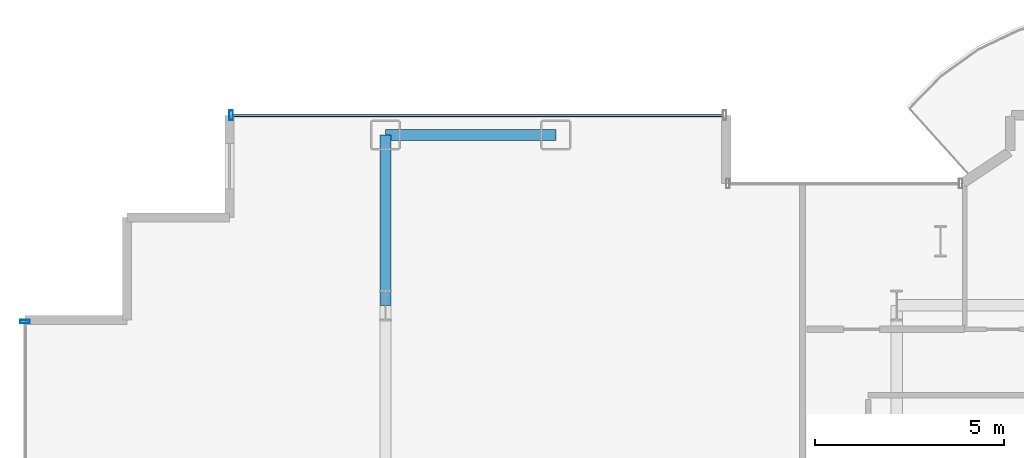
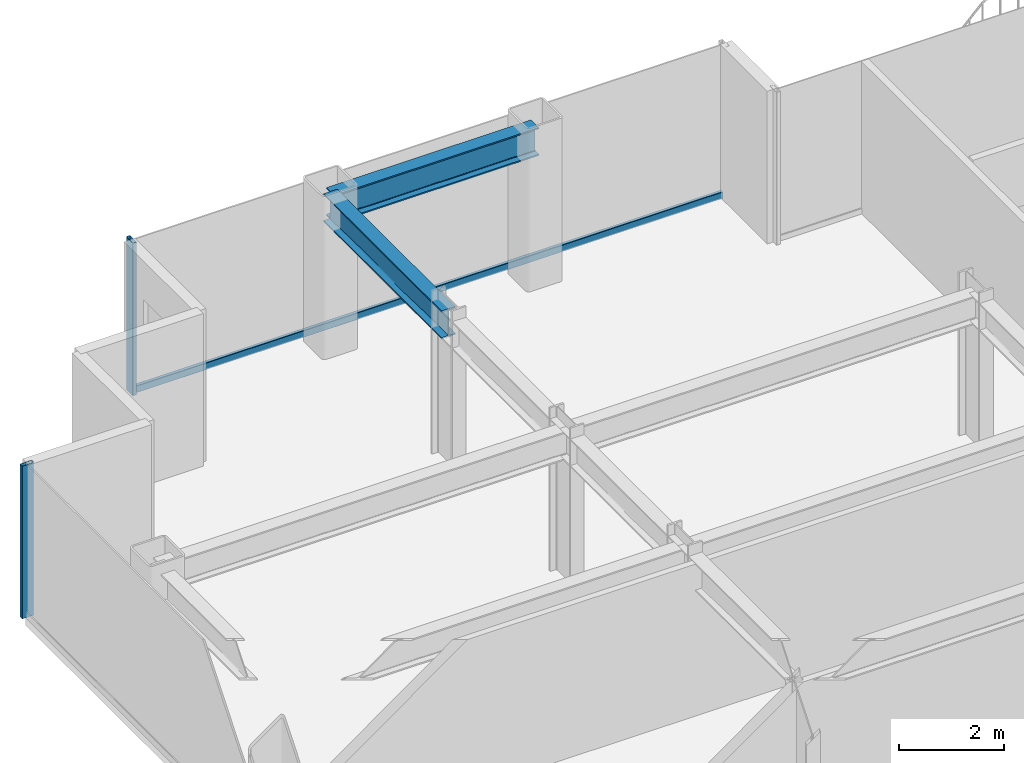
# One storey, part 10 of 23: 3 members, 2 beams, 2 elements without a shape of their own.
"""IFC4 building model written with IfcOpenShell, lengths in metres."""

from ifc_helpers import new_model, si_unit, direction, frame, origin, origin_2d, place, context, subcontext, project, spatial, hollow_rectangle, i_section, extrude, source, transform, mapped, material, layer, layer_set, material_profile, profile_set, type_object, element, aggregate, save


model = new_model("IFC4")

# Units and contexts
model_context = context("Model", 3, precision=1e-05, world=origin(), true_north=direction((0.0, 1.0)))
body_context = subcontext(model_context, "Body", "Model", "MODEL_VIEW")
ifc_project = project(units=[si_unit("LENGTHUNIT", "METRE"), si_unit("AREAUNIT", "SQUARE_METRE"), si_unit("VOLUMEUNIT", "CUBIC_METRE"), si_unit("PLANEANGLEUNIT", "RADIAN"), si_unit("MASSUNIT", "GRAM", prefix="KILO")], contexts=[model_context])

# Site, building, storey
site_placement = place(None, origin())
site = spatial("IfcSite", under=ifc_project, at=site_placement, CompositionType="ELEMENT")
building_placement = place(site_placement, origin())
building = spatial("IfcBuilding", under=site, at=building_placement, Name="Nefas-Gora Pilgrimage Tower", CompositionType="ELEMENT")
storey_placement = place(building_placement, frame((0.0, 0.0, 164.0)))
storey = spatial("IfcBuildingStorey", under=building, at=storey_placement, Name="L40", CompositionType="ELEMENT", Elevation=164.0)

# Beams
ifc_material_1 = material(Name="Steel S355", Category="steel")
ifc_material_profile_1 = material_profile(ifc_material_1, i_section(OverallWidth=0.300048828125, OverallDepth=0.64990234375, WebThickness=0.01611328125, FlangeThickness=0.031005859375, FilletRadius=0.027099609375, at=origin_2d()), Name="HEB 650")
ifc_profile_set_1 = profile_set([ifc_material_profile_1], Name="Steel S355")
beam_type_1 = type_object("IfcBeamType", Name="BM-SPN-HEB500", PredefinedType="SPANDREL", material=ifc_profile_set_1)
shared_shape_1 = source(origin(), body_context, "Body", "SweptSolid", [
    extrude(i_section(OverallWidth=0.300048828125, OverallDepth=0.64990234375, WebThickness=0.01611328125, FlangeThickness=0.031005859375, FilletRadius=0.027099609375, at=origin_2d()), origin(), (0.0, 0.0, 1.0), 4.5),
])
beam_1_placement = place(storey_placement, frame((-24.75, 22.5, 3.22509765625), z_axis=(1.0, 0.0, 0.0), x_axis=(0.0, 1.0, 0.0)))
element("IfcBeam", 1, at=beam_1_placement, inside=storey, type_object=beam_type_1, Name="L40 SP-02 beam", PredefinedType="SPANDREL", context=body_context, shape_type="MappedRepresentation", body=[
    mapped(shared_shape_1, transform((0.0, 0.0, 0.0), x_axis=(1.0, 0.0, 0.0), y_axis=(0.0, 1.0, 0.0), z_axis=(0.0, 0.0, 1.0), scale=1.0)),
])
ifc_material_profile_2 = material_profile(ifc_material_1, i_section(OverallWidth=0.300048828125, OverallDepth=0.64990234375, WebThickness=0.01611328125, FlangeThickness=0.031005859375, FilletRadius=0.027099609375, at=origin_2d()), Name="HEB 650")
ifc_profile_set_2 = profile_set([ifc_material_profile_2], Name="Steel S355")
beam_type_2 = type_object("IfcBeamType", Name="BM-GIR-HEB650", PredefinedType="BEAM", material=ifc_profile_set_2)
shared_shape_2 = source(origin(), body_context, "Body", "SweptSolid", [
    extrude(i_section(OverallWidth=0.300048828125, OverallDepth=0.64990234375, WebThickness=0.01611328125, FlangeThickness=0.031005859375, FilletRadius=0.027099609375, at=origin_2d()), origin(), (0.0, 0.0, 1.0), 4.5),
])
beam_2_placement = place(storey_placement, frame((-24.75, 18.0, 3.22509765625), z_axis=(0.0, 1.0, 0.0), x_axis=(-1.0, 0.0, 0.0)))
element("IfcBeam", 2, at=beam_2_placement, inside=storey, type_object=beam_type_2, Name="L40 G-03 beam", PredefinedType="BEAM", context=body_context, shape_type="MappedRepresentation", body=[
    mapped(shared_shape_2, transform((0.0, 0.0, 0.0), x_axis=(1.0, 0.0, 0.0), y_axis=(0.0, 1.0, 0.0), z_axis=(0.0, 0.0, 1.0), scale=1.0)),
])

# Curtain wall, member
ifc_material_2 = material(Name="Dark ceramic-fritted solar-control aluminium-glass curtain wall", Category="aluminium")
ifc_layer = layer(ifc_material_2, 0.219970703125)
ifc_layer_set = layer_set([ifc_layer], Name="Dark ceramic-fritted solar-control aluminium-glass curtain wall")
curtain_wall_type = type_object("IfcCurtainWallType", Name="CW-SYS-3", PredefinedType="NOTDEFINED", material=ifc_layer_set)
curtain_wall_1_placement = place(storey_placement, origin())
curtain_wall_1 = element("IfcCurtainWall", 3, at=curtain_wall_1_placement, inside=storey, type_object=curtain_wall_type, Name="L40 Unitised Curtain Wall CW3", PredefinedType="NOTDEFINED")
ifc_material_3 = material(Name="Anodised architectural aluminium", Category="aluminium")
ifc_material_profile_3 = material_profile(ifc_material_3, hollow_rectangle(XDim=0.090087890625, YDim=0.260009765625, WallThickness=0.006103515625, InnerFilletRadius=0.006103515625, OuterFilletRadius=0.011962890625, at=origin_2d()), Name="ALU MULLION 90x260")
ifc_profile_set_3 = profile_set([ifc_material_profile_3], Name="Anodised architectural aluminium")
member_type_1 = type_object("IfcMemberType", Name="CWM-MUL-3", PredefinedType="MULLION", material=ifc_profile_set_3)
shared_shape_3 = source(origin(), body_context, "Body", "SweptSolid", [
    extrude(hollow_rectangle(XDim=0.090087890625, YDim=0.260009765625, WallThickness=0.006103515625, InnerFilletRadius=0.006103515625, OuterFilletRadius=0.011962890625, at=origin_2d()), origin(), (0.0, 0.0, 1.0), 3.550048828125),
])
member_1_placement = place(storey_placement, frame((-28.824951171875, 23.02001953125, 0.0), z_axis=(0.0, 0.0, 1.0), x_axis=(-1.0, 0.0, 0.0)))
member_1 = element("IfcMember", 4, at=member_1_placement, type_object=member_type_1, Name="CW3 Mullion 2", PredefinedType="MULLION", context=body_context, shape_type="MappedRepresentation", body=[
    mapped(shared_shape_3, transform((0.0, 0.0, 0.0), x_axis=(1.0, 0.0, 0.0), y_axis=(0.0, 1.0, 0.0), z_axis=(0.0, 0.0, 1.0), scale=1.0)),
])

curtain_wall_2_placement = place(storey_placement, origin())
curtain_wall_2 = element("IfcCurtainWall", 5, at=curtain_wall_2_placement, inside=storey, type_object=curtain_wall_type, Name="L40 Unitised Curtain Wall CW3", PredefinedType="NOTDEFINED")
member_2_placement = place(storey_placement, frame((-34.27001953125, 17.574951171875, 0.0), z_axis=(0.0, 0.0, 1.0), x_axis=(0.0, -1.0, 0.0)))
member_2 = element("IfcMember", 6, at=member_2_placement, type_object=member_type_1, Name="CW3 Mullion 1", PredefinedType="MULLION", context=body_context, shape_type="MappedRepresentation", body=[
    mapped(shared_shape_3, transform((0.0, 0.0, 0.0), x_axis=(1.0, 0.0, 0.0), y_axis=(0.0, 1.0, 0.0), z_axis=(0.0, 0.0, 1.0), scale=1.0)),
])
aggregate(curtain_wall_2, [member_2])

# Member
ifc_material_profile_4 = material_profile(ifc_material_3, hollow_rectangle(XDim=0.080078125, YDim=0.159912109375, WallThickness=0.00439453125, InnerFilletRadius=0.00439453125, OuterFilletRadius=0.009033203125, at=origin_2d()), Name="ALU TRANSOM 80x160")
ifc_profile_set_4 = profile_set([ifc_material_profile_4], Name="Anodised architectural aluminium")
member_type_2 = type_object("IfcMemberType", Name="CWM-TRN-3", PredefinedType="USERDEFINED", material=ifc_profile_set_4)
shared_shape_4 = source(origin(), body_context, "Body", "SweptSolid", [
    extrude(hollow_rectangle(XDim=0.080078125, YDim=0.159912109375, WallThickness=0.00439453125, InnerFilletRadius=0.00439453125, OuterFilletRadius=0.009033203125, at=origin_2d()), origin(), (0.0, 0.0, 1.0), 12.93994140625),
])
member_3_placement = place(storey_placement, frame((-15.840087890625, 23.02001953125, 0.050048828125), z_axis=(-1.0, 0.0, 0.0), x_axis=(0.0, -1.0, 0.0)))
member_3 = element("IfcMember", 7, at=member_3_placement, type_object=member_type_2, Name="CW3 Spandrel Transom", ObjectType="TRANSOM", PredefinedType="USERDEFINED", context=body_context, shape_type="MappedRepresentation", body=[
    mapped(shared_shape_4, transform((0.0, 0.0, 0.0), x_axis=(1.0, 0.0, 0.0), y_axis=(0.0, 1.0, 0.0), z_axis=(0.0, 0.0, 1.0), scale=1.0)),
])

aggregate(curtain_wall_1, [member_1, member_3])

save(model, "model.ifc")
